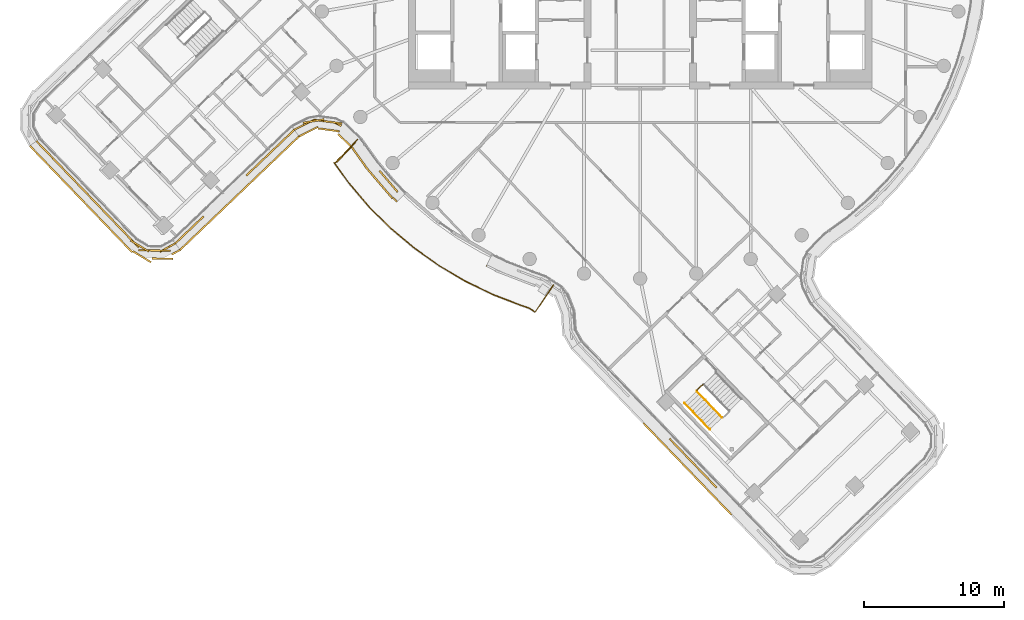
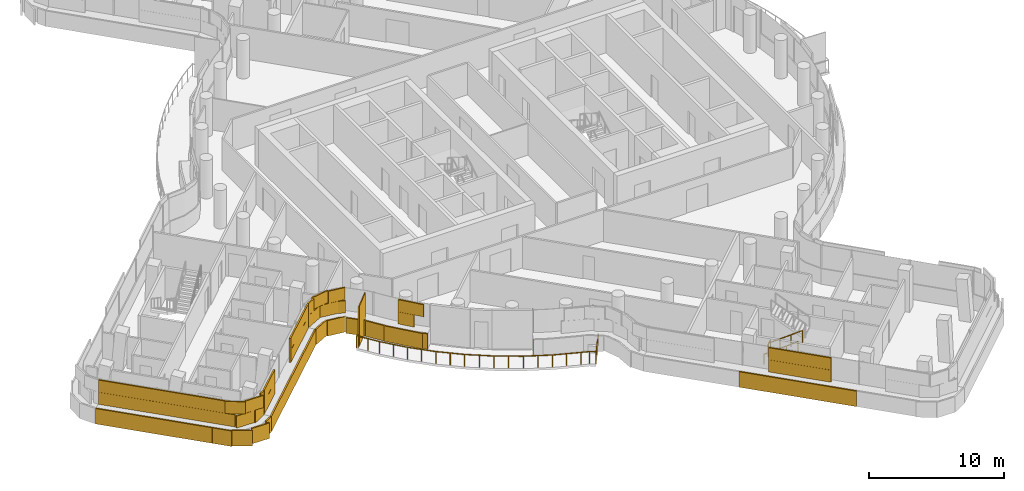
# One storey, part 27 of 34: 4 coverings, 4 railings, 1 shading device.
"""IFC4 building model written with IfcOpenShell, lengths in metres."""

from ifc_helpers import new_model, si_unit, direction, frame, origin, origin_2d, place, context, subcontext, project, spatial, rectangle, circle, extrude, material, layer, layer_set, type_object, element, save


model = new_model("IFC4")

# Units and contexts
model_context = context("Model", 3, precision=1e-05, world=origin(), true_north=direction((0.0, 1.0)))
body_context = subcontext(model_context, "Body", "Model", "MODEL_VIEW")
ifc_project = project(units=[si_unit("LENGTHUNIT", "METRE"), si_unit("AREAUNIT", "SQUARE_METRE"), si_unit("VOLUMEUNIT", "CUBIC_METRE"), si_unit("PLANEANGLEUNIT", "RADIAN"), si_unit("MASSUNIT", "GRAM", prefix="KILO")], contexts=[model_context])

# Site, building, storey
site_placement = place(None, origin())
site = spatial("IfcSite", under=ifc_project, at=site_placement, CompositionType="ELEMENT")
building_placement = place(site_placement, origin())
building = spatial("IfcBuilding", under=site, at=building_placement, Name="Tamarind Cross Interchange Tower", CompositionType="ELEMENT")
storey_placement = place(building_placement, frame((0.0, 0.0, 193.300048828125)))
storey = spatial("IfcBuildingStorey", under=building, at=storey_placement, Name="L48", CompositionType="ELEMENT", Elevation=193.300048828125)

# Railing
ifc_material_1 = material(Name="Stainless steel and laminated glass", Category="steel")
railing_type_1 = type_object("IfcRailingType", Name="Balcony guard", PredefinedType="BALUSTRADE", material=ifc_material_1)
railing_1_placement = place(storey_placement, frame((-20.123046875, -13.123291015625, 0.0)))
element("IfcRailing", 1, at=railing_1_placement, inside=storey, type_object=railing_type_1, Name="Balcony guard 02", PredefinedType="BALUSTRADE", context=body_context, shape_type="SweptSolid", body=[
    extrude(circle(Radius=0.02490234375, at=origin_2d()), frame((0.0, 0.0, 1.0751953125), z_axis=(-0.693079272456, -0.720861375087, 0.0), x_axis=(0.720861375087, -0.693079272456, 0.0)), (0.0, 0.0, 1.0), 2.320068359375),
    extrude(circle(Radius=0.02490234375, at=origin_2d()), frame((-1.60791015625, -1.67236328125, 1.0751953125), z_axis=(-0.721503585514, 0.692410699001, 0.0), x_axis=(-0.692410699001, -0.721503585514, 0.0)), (0.0, 0.0, 1.0), 0.083984375),
    extrude(circle(Radius=0.02490234375, at=origin_2d()), frame((-1.66845703125, -1.6142578125, 1.0751953125), z_axis=(0.584593701631, -0.811326200744, 0.0), x_axis=(0.811326200744, 0.584593701631, 0.0)), (0.0, 0.0, 1.0), 1.869384765625),
    extrude(circle(Radius=0.02490234375, at=origin_2d()), frame((-0.57568359375, -3.130859375, 1.0751953125), z_axis=(0.649598066146, -0.760277812684, 0.0), x_axis=(0.760277812684, 0.649598066146, 0.0)), (0.0, 0.0, 1.0), 2.175048828125),
    extrude(circle(Radius=0.02490234375, at=origin_2d()), frame((0.837158203125, -4.784423828125, 1.0751953125), z_axis=(0.710130717242, -0.704069857635, 0.0), x_axis=(0.704069857635, 0.710130717242, 0.0)), (0.0, 0.0, 1.0), 2.17529296875),
    extrude(circle(Radius=0.02490234375, at=origin_2d()), frame((2.3818359375, -6.31591796875, 1.0751953125), z_axis=(0.765879503455, -0.642984125922, 0.0), x_axis=(0.642984125922, 0.765879503455, 0.0)), (0.0, 0.0, 1.0), 2.17529296875),
    extrude(circle(Radius=0.02490234375, at=origin_2d()), frame((4.0478515625, -7.714599609375, 1.0751953125), z_axis=(0.81632657602, -0.577590617379, 0.0), x_axis=(0.577590617379, 0.81632657602, 0.0)), (0.0, 0.0, 1.0), 2.175048828125),
    extrude(circle(Radius=0.02490234375, at=origin_2d()), frame((5.823486328125, -8.970947265625, 1.0751953125), z_axis=(0.861223570169, -0.508226290333, 0.0), x_axis=(0.508226290333, 0.861223570169, 0.0)), (0.0, 0.0, 1.0), 2.175048828125),
    extrude(circle(Radius=0.02490234375, at=origin_2d()), frame((7.69677734375, -10.076416015625, 1.0751953125), z_axis=(0.90029690694, -0.435276325285, 0.0), x_axis=(0.435276325285, 0.90029690694, 0.0)), (0.0, 0.0, 1.0), 2.175048828125),
    extrude(circle(Radius=0.02490234375, at=origin_2d()), frame((9.655029296875, -11.023193359375, 1.0751953125), z_axis=(0.933127992893, -0.35954436288, 0.0), x_axis=(0.35954436288, 0.933127992893, 0.0)), (0.0, 0.0, 1.0), 2.112548828125),
    extrude(circle(Radius=0.02490234375, at=origin_2d()), frame((11.626220703125, -11.78271484375, 1.0751953125), z_axis=(0.943100391599, -0.332508122255, 0.0), x_axis=(0.332508122255, 0.943100391599, 0.0)), (0.0, 0.0, 1.0), 0.655029296875),
    extrude(circle(Radius=0.02490234375, at=origin_2d()), frame((12.243896484375, -12.00048828125, 1.0751953125), z_axis=(0.829141580357, -0.559038674622, 0.0), x_axis=(0.559038674622, 0.829141580357, 0.0)), (0.0, 0.0, 1.0), 0.49267578125),
    extrude(circle(Radius=0.02490234375, at=origin_2d()), frame((12.65234375, -12.27587890625, 1.0751953125), z_axis=(0.559208953059, 0.829026746745, 0.0), x_axis=(-0.829026746745, 0.559208953059, 0.0)), (0.0, 0.0, 1.0), 2.320068359375),
    extrude(circle(Radius=0.02001953125, at=origin_2d()), origin(), (0.0, 0.0, 1.0), 1.050048828125),
    extrude(circle(Radius=0.02001953125, at=origin_2d()), frame((-0.803955078125, -0.836181640625, 0.0)), (0.0, 0.0, 1.0), 1.050048828125),
    extrude(circle(Radius=0.02001953125, at=origin_2d()), frame((-1.60791015625, -1.67236328125, 0.0)), (0.0, 0.0, 1.0), 1.050048828125),
    extrude(circle(Radius=0.02001953125, at=origin_2d()), frame((-1.66845703125, -1.6142578125, 0.0)), (0.0, 0.0, 1.0), 1.050048828125),
    extrude(circle(Radius=0.02001953125, at=origin_2d()), frame((-1.1220703125, -2.37255859375, 0.0)), (0.0, 0.0, 1.0), 1.050048828125),
    extrude(circle(Radius=0.02001953125, at=origin_2d()), frame((-0.57568359375, -3.130859375, 0.0)), (0.0, 0.0, 1.0), 1.050048828125),
    extrude(circle(Radius=0.02001953125, at=origin_2d()), frame((0.130859375, -3.95751953125, 0.0)), (0.0, 0.0, 1.0), 1.050048828125),
    extrude(circle(Radius=0.02001953125, at=origin_2d()), frame((0.837158203125, -4.784423828125, 0.0)), (0.0, 0.0, 1.0), 1.050048828125),
    extrude(circle(Radius=0.02001953125, at=origin_2d()), frame((1.609375, -5.55029296875, 0.0)), (0.0, 0.0, 1.0), 1.050048828125),
    extrude(circle(Radius=0.02001953125, at=origin_2d()), frame((2.3818359375, -6.31591796875, 0.0)), (0.0, 0.0, 1.0), 1.050048828125),
    extrude(circle(Radius=0.02001953125, at=origin_2d()), frame((3.21484375, -7.01513671875, 0.0)), (0.0, 0.0, 1.0), 1.050048828125),
    extrude(circle(Radius=0.02001953125, at=origin_2d()), frame((4.0478515625, -7.714599609375, 0.0)), (0.0, 0.0, 1.0), 1.050048828125),
    extrude(circle(Radius=0.02001953125, at=origin_2d()), frame((4.935546875, -8.3427734375, 0.0)), (0.0, 0.0, 1.0), 1.050048828125),
    extrude(circle(Radius=0.02001953125, at=origin_2d()), frame((5.823486328125, -8.970947265625, 0.0)), (0.0, 0.0, 1.0), 1.050048828125),
    extrude(circle(Radius=0.02001953125, at=origin_2d()), frame((6.76025390625, -9.523681640625, 0.0)), (0.0, 0.0, 1.0), 1.050048828125),
    extrude(circle(Radius=0.02001953125, at=origin_2d()), frame((7.69677734375, -10.076416015625, 0.0)), (0.0, 0.0, 1.0), 1.050048828125),
    extrude(circle(Radius=0.02001953125, at=origin_2d()), frame((8.67578125, -10.5498046875, 0.0)), (0.0, 0.0, 1.0), 1.050048828125),
    extrude(circle(Radius=0.02001953125, at=origin_2d()), frame((9.655029296875, -11.023193359375, 0.0)), (0.0, 0.0, 1.0), 1.050048828125),
    extrude(circle(Radius=0.02001953125, at=origin_2d()), frame((10.640625, -11.40283203125, 0.0)), (0.0, 0.0, 1.0), 1.050048828125),
    extrude(circle(Radius=0.02001953125, at=origin_2d()), frame((11.626220703125, -11.78271484375, 0.0)), (0.0, 0.0, 1.0), 1.050048828125),
    extrude(circle(Radius=0.02001953125, at=origin_2d()), frame((12.243896484375, -12.00048828125, 0.0)), (0.0, 0.0, 1.0), 1.050048828125),
    extrude(circle(Radius=0.02001953125, at=origin_2d()), frame((12.65234375, -12.27587890625, 0.0)), (0.0, 0.0, 1.0), 1.050048828125),
    extrude(circle(Radius=0.02001953125, at=origin_2d()), frame((13.301025390625, -11.314208984375, 0.0)), (0.0, 0.0, 1.0), 1.050048828125),
    extrude(circle(Radius=0.02001953125, at=origin_2d()), frame((13.94970703125, -10.3525390625, 0.0)), (0.0, 0.0, 1.0), 1.050048828125),
])

# Shading device
ifc_material_2 = material(Name="Bronze-finish aluminium louvre", Category="aluminium")
ifc_layer_1 = layer(ifc_material_2, 0.080078125)
ifc_layer_set_1 = layer_set([ifc_layer_1], Name="Bronze-finish aluminium louvre")
shading_device_type = type_object("IfcShadingDeviceType", Name="Operable louvre bay", PredefinedType="JALOUSIE", material=ifc_layer_set_1)
shading_device_placement = place(storey_placement, origin())
element("IfcShadingDevice", 2, at=shading_device_placement, inside=storey, type_object=shading_device_type, Name="LVR-L48-BAL02", PredefinedType="JALOUSIE", context=body_context, shape_type="SweptSolid", body=[
    extrude(rectangle(XDim=1.89990234375, YDim=0.080078125, at=origin_2d()), frame((-20.928466796875, -14.006591796875, 0.0), z_axis=(0.0, 0.0, 1.0), x_axis=(-0.693084454304, -0.720856392912, 0.0)), (0.0, 0.0, 1.0), 3.60009765625),
])

# Railings
ifc_material_3 = material(Name="Stair guard")
railing_type_2 = type_object("IfcRailingType", Name="Stair guard", PredefinedType="GUARDRAIL", material=ifc_material_3)
railing_2_placement = place(storey_placement, frame((4.031982421875, -31.025390625, 0.16357421875)))
element("IfcRailing", 3, at=railing_2_placement, inside=storey, type_object=railing_type_2, Name="L48 ST6 stair guard 1", PredefinedType="GUARDRAIL", context=body_context, shape_type="SweptSolid", body=[
    extrude(circle(Radius=0.02392578125, at=origin_2d()), frame((0.0, 0.0, 1.076171875), z_axis=(0.586640057014, -0.610003938993, 0.532680615303), x_axis=(0.720775322287, 0.693168763565, 0.0)), (0.0, 0.0, 1.0), 3.072265625),
    extrude(circle(Radius=0.02099609375, at=origin_2d()), origin(), (0.0, 0.0, 1.0), 1.052001953125),
    extrude(circle(Radius=0.02099609375, at=origin_2d()), frame((0.600830078125, -0.624755859375, 0.54541015625)), (0.0, 0.0, 1.0), 1.052001953125),
    extrude(circle(Radius=0.02099609375, at=origin_2d()), frame((1.201416015625, -1.249267578125, 1.091064453125)), (0.0, 0.0, 1.0), 1.052001953125),
    extrude(circle(Radius=0.02099609375, at=origin_2d()), frame((1.80224609375, -1.8740234375, 1.636474609375)), (0.0, 0.0, 1.0), 1.052001953125),
])
railing_3_placement = place(storey_placement, frame((4.033203125, -30.95458984375, 0.0)))
element("IfcRailing", 4, at=railing_3_placement, inside=storey, type_object=railing_type_2, Name="L48 ST6 stair guard 4", PredefinedType="GUARDRAIL", context=body_context, shape_type="SweptSolid", body=[
    extrude(circle(Radius=0.02392578125, at=origin_2d()), frame((0.0, 0.0, 1.076171875), z_axis=(0.721005055194, 0.692929801917, 0.0), x_axis=(-0.692929801917, 0.721005055194, 0.0)), (0.0, 0.0, 1.0), 0.60009765625),
    extrude(circle(Radius=0.02099609375, at=origin_2d()), origin(), (0.0, 0.0, 1.0), 1.052001953125),
    extrude(circle(Radius=0.02099609375, at=origin_2d()), frame((0.4326171875, 0.415771484375, 0.0)), (0.0, 0.0, 1.0), 1.052001953125),
])
ifc_material_4 = material(Name="Stair handrail")
railing_type_3 = type_object("IfcRailingType", Name="Stair handrail", PredefinedType="HANDRAIL", material=ifc_material_4)
railing_4_placement = place(storey_placement, frame((3.1669921875, -31.857177734375, 0.16357421875)))
element("IfcRailing", 5, at=railing_4_placement, inside=storey, type_object=railing_type_3, Name="L48 ST6 stair handrail 1", PredefinedType="HANDRAIL", context=body_context, shape_type="SweptSolid", body=[
    extrude(circle(Radius=0.02392578125, at=origin_2d()), frame((0.0, 0.0, 0.8759765625), z_axis=(0.586640057014, -0.610003938993, 0.532680615303), x_axis=(0.720775322287, 0.693168763565, 0.0)), (0.0, 0.0, 1.0), 3.072265625),
    extrude(circle(Radius=0.02099609375, at=origin_2d()), origin(), (0.0, 0.0, 1.0), 0.851806640625),
    extrude(circle(Radius=0.02099609375, at=origin_2d()), frame((0.600830078125, -0.624755859375, 0.54541015625)), (0.0, 0.0, 1.0), 0.851806640625),
    extrude(circle(Radius=0.02099609375, at=origin_2d()), frame((1.201416015625, -1.249267578125, 1.091064453125)), (0.0, 0.0, 1.0), 0.851806640625),
    extrude(circle(Radius=0.02099609375, at=origin_2d()), frame((1.80224609375, -1.8740234375, 1.636474609375)), (0.0, 0.0, 1.0), 0.851806640625),
])

# Coverings
ifc_material_5 = material(Name="Terracotta", Category="masonry")
ifc_layer_2 = layer(ifc_material_5, 0.1201171875)
ifc_layer_set_2 = layer_set([ifc_layer_2], Name="Terracotta")
covering_type = type_object("IfcCoveringType", Name="Terracotta baguette screen unit", PredefinedType="MOLDING", material=ifc_layer_set_2)
covering_1_placement = place(storey_placement, origin())
element("IfcCovering", 6, at=covering_1_placement, inside=storey, type_object=covering_type, Name="SCR-L48-00-00", PredefinedType="MOLDING", context=body_context, shape_type="SweptSolid", body=[
    extrude(rectangle(XDim=1.510009765625, YDim=0.1201171875, at=origin_2d()), frame((-42.454345703125, -13.758056640625, 1.40380859375), z_axis=(0.0, 0.0, 1.0), x_axis=(0.69317039432, -0.720773753988, 0.0)), (0.0, 0.0, 1.0), 1.092041015625),
    extrude(rectangle(XDim=1.52001953125, YDim=0.1201171875, at=origin_2d()), frame((-41.41455078125, -14.83935546875, 1.40380859375), z_axis=(0.0, 0.0, 1.0), x_axis=(0.69317039432, -0.720773753988, 0.0)), (0.0, 0.0, 1.0), 1.092041015625),
    extrude(rectangle(XDim=1.52001953125, YDim=0.1201171875, at=origin_2d()), frame((-40.374755859375, -15.92041015625, 1.40380859375), z_axis=(0.0, 0.0, 1.0), x_axis=(0.69317039432, -0.720773753988, 0.0)), (0.0, 0.0, 1.0), 1.092041015625),
    extrude(rectangle(XDim=1.52001953125, YDim=0.1201171875, at=origin_2d()), frame((-39.3349609375, -17.00146484375, 1.40380859375), z_axis=(0.0, 0.0, 1.0), x_axis=(0.69317039432, -0.720773753988, 0.0)), (0.0, 0.0, 1.0), 1.092041015625),
    extrude(rectangle(XDim=1.52001953125, YDim=0.1201171875, at=origin_2d()), frame((-38.29541015625, -18.082763671875, 1.40380859375), z_axis=(0.0, 0.0, 1.0), x_axis=(0.69317039432, -0.720773753988, 0.0)), (0.0, 0.0, 1.0), 1.092041015625),
    extrude(rectangle(XDim=1.52001953125, YDim=0.1201171875, at=origin_2d()), frame((-37.255615234375, -19.163818359375, 1.40380859375), z_axis=(0.0, 0.0, 1.0), x_axis=(0.69317039432, -0.720773753988, 0.0)), (0.0, 0.0, 1.0), 1.092041015625),
    extrude(rectangle(XDim=1.52001953125, YDim=0.1201171875, at=origin_2d()), frame((-36.2158203125, -20.2451171875, 1.40380859375), z_axis=(0.0, 0.0, 1.0), x_axis=(0.69317039432, -0.720773753988, 0.0)), (0.0, 0.0, 1.0), 1.092041015625),
    extrude(rectangle(XDim=1.52001953125, YDim=0.1201171875, at=origin_2d()), frame((-34.953857421875, -20.9990234375, 1.40380859375), z_axis=(0.0, 0.0, 1.0), x_axis=(0.999809495488, -0.019518522804, 0.0)), (0.0, 0.0, 1.0), 1.092041015625),
    extrude(rectangle(XDim=1.259521484375, YDim=0.1201171875, at=origin_2d()), frame((-33.634765625, -20.801513671875, 1.40380859375), z_axis=(0.0, 0.0, 1.0), x_axis=(0.875619683439, 0.483001211151, 0.0)), (0.0, 0.0, 1.0), 1.092041015625),
    extrude(rectangle(XDim=0.760009765625, YDim=0.1201171875, at=origin_2d()), frame((-42.71435546875, -13.48779296875, 2.50390625), z_axis=(0.0, 0.0, 1.0), x_axis=(0.69317039432, -0.720773753988, 0.0)), (0.0, 0.0, 1.0), 1.092041015625),
    extrude(rectangle(XDim=1.52001953125, YDim=0.1201171875, at=origin_2d()), frame((-41.934326171875, -14.298583984375, 2.50390625), z_axis=(0.0, 0.0, 1.0), x_axis=(0.69317039432, -0.720773753988, 0.0)), (0.0, 0.0, 1.0), 1.092041015625),
    extrude(rectangle(XDim=1.52001953125, YDim=0.1201171875, at=origin_2d()), frame((-40.894775390625, -15.3798828125, 2.50390625), z_axis=(0.0, 0.0, 1.0), x_axis=(0.69317039432, -0.720773753988, 0.0)), (0.0, 0.0, 1.0), 1.092041015625),
    extrude(rectangle(XDim=1.52001953125, YDim=0.1201171875, at=origin_2d()), frame((-39.85498046875, -16.4609375, 2.50390625), z_axis=(0.0, 0.0, 1.0), x_axis=(0.69317039432, -0.720773753988, 0.0)), (0.0, 0.0, 1.0), 1.092041015625),
    extrude(rectangle(XDim=1.52001953125, YDim=0.1201171875, at=origin_2d()), frame((-38.815185546875, -17.542236328125, 2.50390625), z_axis=(0.0, 0.0, 1.0), x_axis=(0.69317039432, -0.720773753988, 0.0)), (0.0, 0.0, 1.0), 1.092041015625),
    extrude(rectangle(XDim=1.52001953125, YDim=0.1201171875, at=origin_2d()), frame((-37.775390625, -18.623291015625, 2.50390625), z_axis=(0.0, 0.0, 1.0), x_axis=(0.69317039432, -0.720773753988, 0.0)), (0.0, 0.0, 1.0), 1.092041015625),
    extrude(rectangle(XDim=1.52001953125, YDim=0.1201171875, at=origin_2d()), frame((-36.735595703125, -19.70458984375, 2.50390625), z_axis=(0.0, 0.0, 1.0), x_axis=(0.69317039432, -0.720773753988, 0.0)), (0.0, 0.0, 1.0), 1.092041015625),
    extrude(rectangle(XDim=1.52001953125, YDim=0.1201171875, at=origin_2d()), frame((-35.618408203125, -20.6884765625, 2.50390625), z_axis=(0.0, 0.0, 1.0), x_axis=(0.856101160635, -0.516808284337, 0.0)), (0.0, 0.0, 1.0), 1.092041015625),
    extrude(rectangle(XDim=1.52001953125, YDim=0.1201171875, at=origin_2d()), frame((-34.2041015625, -21.013671875, 2.50390625), z_axis=(0.0, 0.0, 1.0), x_axis=(0.999809495488, -0.019518522804, 0.0)), (0.0, 0.0, 1.0), 1.092041015625),
    extrude(rectangle(XDim=0.509521484375, YDim=0.1201171875, at=origin_2d()), frame((-33.306396484375, -20.620361328125, 2.50390625), z_axis=(0.0, 0.0, 1.0), x_axis=(0.875619683439, 0.483001211151, 0.0)), (0.0, 0.0, 1.0), 1.092041015625),
    extrude(rectangle(XDim=1.510009765625, YDim=0.1201171875, at=origin_2d()), frame((-42.9169921875, -14.105224609375, 0.00390625), z_axis=(0.0, 0.0, 1.0), x_axis=(0.69317039432, -0.720773753988, 0.0)), (0.0, 0.0, 1.0), 1.39208984375),
    extrude(rectangle(XDim=1.52001953125, YDim=0.1201171875, at=origin_2d()), frame((-41.880615234375, -15.1826171875, 0.00390625), z_axis=(0.0, 0.0, 1.0), x_axis=(0.69317039432, -0.720773753988, 0.0)), (0.0, 0.0, 1.0), 1.39208984375),
    extrude(rectangle(XDim=1.52001953125, YDim=0.1201171875, at=origin_2d()), frame((-40.8408203125, -16.263916015625, 0.00390625), z_axis=(0.0, 0.0, 1.0), x_axis=(0.69317039432, -0.720773753988, 0.0)), (0.0, 0.0, 1.0), 1.39208984375),
    extrude(rectangle(XDim=1.52001953125, YDim=0.1201171875, at=origin_2d()), frame((-39.80126953125, -17.344970703125, 0.00390625), z_axis=(0.0, 0.0, 1.0), x_axis=(0.69317039432, -0.720773753988, 0.0)), (0.0, 0.0, 1.0), 1.39208984375),
    extrude(rectangle(XDim=1.52001953125, YDim=0.1201171875, at=origin_2d()), frame((-38.761474609375, -18.42626953125, 0.00390625), z_axis=(0.0, 0.0, 1.0), x_axis=(0.69317039432, -0.720773753988, 0.0)), (0.0, 0.0, 1.0), 1.39208984375),
    extrude(rectangle(XDim=1.52001953125, YDim=0.1201171875, at=origin_2d()), frame((-37.7216796875, -19.50732421875, 0.00390625), z_axis=(0.0, 0.0, 1.0), x_axis=(0.69317039432, -0.720773753988, 0.0)), (0.0, 0.0, 1.0), 1.39208984375),
    extrude(rectangle(XDim=1.52001953125, YDim=0.1201171875, at=origin_2d()), frame((-36.681884765625, -20.58837890625, 0.00390625), z_axis=(0.0, 0.0, 1.0), x_axis=(0.69317039432, -0.720773753988, 0.0)), (0.0, 0.0, 1.0), 1.39208984375),
    extrude(rectangle(XDim=1.52001953125, YDim=0.1201171875, at=origin_2d()), frame((-35.467041015625, -21.450439453125, 0.00390625), z_axis=(0.0, 0.0, 1.0), x_axis=(0.856101160635, -0.516808284337, 0.0)), (0.0, 0.0, 1.0), 1.39208984375),
    extrude(rectangle(XDim=1.52001953125, YDim=0.1201171875, at=origin_2d()), frame((-33.999755859375, -21.591796875, 0.00390625), z_axis=(0.0, 0.0, 1.0), x_axis=(0.999809495488, -0.019518522804, 0.0)), (0.0, 0.0, 1.0), 1.39208984375),
    extrude(rectangle(XDim=0.67578125, YDim=0.1201171875, at=origin_2d()), frame((-33.041259765625, -21.129638671875, 0.00390625), z_axis=(0.0, 0.0, 1.0), x_axis=(0.875619683439, 0.483001211151, 0.0)), (0.0, 0.0, 1.0), 1.39208984375),
])
covering_2_placement = place(storey_placement, origin())
element("IfcCovering", 7, at=covering_2_placement, inside=storey, type_object=covering_type, Name="SCR-L48-01-00", PredefinedType="MOLDING", context=body_context, shape_type="SweptSolid", body=[
    extrude(rectangle(XDim=1.510009765625, YDim=0.1201171875, at=origin_2d()), frame((-32.545166015625, -19.98193359375, 1.40380859375), z_axis=(0.0, 0.0, 1.0), x_axis=(0.723395096395, 0.690434308615, 0.0)), (0.0, 0.0, 1.0), 1.092041015625),
    extrude(rectangle(XDim=1.298828125, YDim=0.1201171875, at=origin_2d()), frame((-31.53662109375, -19.019287109375, 1.40380859375), z_axis=(0.0, 0.0, 1.0), x_axis=(0.723395096395, 0.690434308615, 0.0)), (0.0, 0.0, 1.0), 1.092041015625),
    extrude(rectangle(XDim=0.521240234375, YDim=0.1201171875, at=origin_2d()), frame((-27.84716796875, -15.498046875, 1.40380859375), z_axis=(0.0, 0.0, 1.0), x_axis=(0.723395096395, 0.690434308615, 0.0)), (0.0, 0.0, 1.0), 1.092041015625),
    extrude(rectangle(XDim=1.52001953125, YDim=0.1201171875, at=origin_2d()), frame((-27.119873046875, -14.8037109375, 1.40380859375), z_axis=(0.0, 0.0, 1.0), x_axis=(0.723395096395, 0.690434308615, 0.0)), (0.0, 0.0, 1.0), 1.092041015625),
    extrude(rectangle(XDim=1.52001953125, YDim=0.1201171875, at=origin_2d()), frame((-26.03466796875, -13.76806640625, 1.40380859375), z_axis=(0.0, 0.0, 1.0), x_axis=(0.723395096395, 0.690434308615, 0.0)), (0.0, 0.0, 1.0), 1.092041015625),
    extrude(rectangle(XDim=1.219970703125, YDim=0.1201171875, at=origin_2d()), frame((-25.054443359375, -12.83251953125, 1.40380859375), z_axis=(0.0, 0.0, 1.0), x_axis=(0.723395096395, 0.690434308615, 0.0)), (0.0, 0.0, 1.0), 1.092041015625),
    extrude(rectangle(XDim=0.760009765625, YDim=0.1201171875, at=origin_2d()), frame((-32.816650390625, -20.240966796875, 2.50390625), z_axis=(0.0, 0.0, 1.0), x_axis=(0.723395096395, 0.690434308615, 0.0)), (0.0, 0.0, 1.0), 1.092041015625),
    extrude(rectangle(XDim=1.52001953125, YDim=0.1201171875, at=origin_2d()), frame((-32.002685546875, -19.464111328125, 2.50390625), z_axis=(0.0, 0.0, 1.0), x_axis=(0.723395096395, 0.690434308615, 0.0)), (0.0, 0.0, 1.0), 1.092041015625),
    extrude(rectangle(XDim=0.548828125, YDim=0.1201171875, at=origin_2d()), frame((-31.265380859375, -18.76025390625, 2.50390625), z_axis=(0.0, 0.0, 1.0), x_axis=(0.723395096395, 0.690434308615, 0.0)), (0.0, 0.0, 1.0), 1.092041015625),
    extrude(rectangle(XDim=1.271240234375, YDim=0.1201171875, at=origin_2d()), frame((-27.575927734375, -15.239013671875, 2.50390625), z_axis=(0.0, 0.0, 1.0), x_axis=(0.723395096395, 0.690434308615, 0.0)), (0.0, 0.0, 1.0), 1.092041015625),
    extrude(rectangle(XDim=1.52001953125, YDim=0.1201171875, at=origin_2d()), frame((-26.5771484375, -14.285888671875, 2.50390625), z_axis=(0.0, 0.0, 1.0), x_axis=(0.723395096395, 0.690434308615, 0.0)), (0.0, 0.0, 1.0), 1.092041015625),
    extrude(rectangle(XDim=1.52001953125, YDim=0.1201171875, at=origin_2d()), frame((-25.4921875, -13.250244140625, 2.50390625), z_axis=(0.0, 0.0, 1.0), x_axis=(0.723395096395, 0.690434308615, 0.0)), (0.0, 0.0, 1.0), 1.092041015625),
    extrude(rectangle(XDim=0.469970703125, YDim=0.1201171875, at=origin_2d()), frame((-24.783203125, -12.57373046875, 2.50390625), z_axis=(0.0, 0.0, 1.0), x_axis=(0.723395096395, 0.690434308615, 0.0)), (0.0, 0.0, 1.0), 1.092041015625),
    extrude(rectangle(XDim=1.510009765625, YDim=0.1201171875, at=origin_2d()), frame((-32.19921875, -20.445068359375, 0.00390625), z_axis=(0.0, 0.0, 1.0), x_axis=(0.723395096395, 0.690434308615, 0.0)), (0.0, 0.0, 1.0), 1.39208984375),
    extrude(rectangle(XDim=1.52001953125, YDim=0.1201171875, at=origin_2d()), frame((-31.11767578125, -19.412841796875, 0.00390625), z_axis=(0.0, 0.0, 1.0), x_axis=(0.723395096395, 0.690434308615, 0.0)), (0.0, 0.0, 1.0), 1.39208984375),
    extrude(rectangle(XDim=1.52001953125, YDim=0.1201171875, at=origin_2d()), frame((-30.03271484375, -18.377197265625, 0.00390625), z_axis=(0.0, 0.0, 1.0), x_axis=(0.723395096395, 0.690434308615, 0.0)), (0.0, 0.0, 1.0), 1.39208984375),
    extrude(rectangle(XDim=1.52001953125, YDim=0.1201171875, at=origin_2d()), frame((-28.947509765625, -17.341552734375, 0.00390625), z_axis=(0.0, 0.0, 1.0), x_axis=(0.723395096395, 0.690434308615, 0.0)), (0.0, 0.0, 1.0), 1.39208984375),
    extrude(rectangle(XDim=1.52001953125, YDim=0.1201171875, at=origin_2d()), frame((-27.862548828125, -16.305908203125, 0.00390625), z_axis=(0.0, 0.0, 1.0), x_axis=(0.723395096395, 0.690434308615, 0.0)), (0.0, 0.0, 1.0), 1.39208984375),
    extrude(rectangle(XDim=1.52001953125, YDim=0.1201171875, at=origin_2d()), frame((-26.77734375, -15.270263671875, 0.00390625), z_axis=(0.0, 0.0, 1.0), x_axis=(0.723395096395, 0.690434308615, 0.0)), (0.0, 0.0, 1.0), 1.39208984375),
    extrude(rectangle(XDim=1.52001953125, YDim=0.1201171875, at=origin_2d()), frame((-25.6923828125, -14.234619140625, 0.00390625), z_axis=(0.0, 0.0, 1.0), x_axis=(0.723395096395, 0.690434308615, 0.0)), (0.0, 0.0, 1.0), 1.39208984375),
    extrude(rectangle(XDim=1.208740234375, YDim=0.1201171875, at=origin_2d()), frame((-24.7197265625, -13.306396484375, 0.00390625), z_axis=(0.0, 0.0, 1.0), x_axis=(0.723395096395, 0.690434308615, 0.0)), (0.0, 0.0, 1.0), 1.39208984375),
])
covering_3_placement = place(storey_placement, origin())
element("IfcCovering", 8, at=covering_3_placement, inside=storey, type_object=covering_type, Name="SCR-L48-02-00", PredefinedType="MOLDING", context=body_context, shape_type="SweptSolid", body=[
    extrude(rectangle(XDim=1.510009765625, YDim=0.1201171875, at=origin_2d()), frame((-23.94677734375, -12.077880859375, 1.40380859375), z_axis=(0.0, 0.0, 1.0), x_axis=(0.893374690242, 0.449312433431, 0.0)), (0.0, 0.0, 1.0), 1.092041015625),
    extrude(rectangle(XDim=1.52001953125, YDim=0.1201171875, at=origin_2d()), frame((-22.51611328125, -11.797119140625, 1.40380859375), z_axis=(0.0, 0.0, 1.0), x_axis=(0.991066112006, -0.133371517322, 0.0)), (0.0, 0.0, 1.0), 1.092041015625),
    extrude(rectangle(XDim=0.56640625, YDim=0.1201171875, at=origin_2d()), frame((-21.521484375, -12.0185546875, 1.40380859375), z_axis=(0.0, 0.0, 1.0), x_axis=(0.907436877279, -0.420188426488, 0.0)), (0.0, 0.0, 1.0), 1.092041015625),
    extrude(rectangle(XDim=1.253662109375, YDim=0.1201171875, at=origin_2d()), frame((-18.154052734375, -15.799560546875, 1.40380859375), z_axis=(0.0, 0.0, 1.0), x_axis=(0.64957723968, -0.760295606781, 0.0)), (0.0, 0.0, 1.0), 1.092041015625),
    extrude(rectangle(XDim=0.760009765625, YDim=0.1201171875, at=origin_2d()), frame((-24.281982421875, -12.246337890625, 2.50390625), z_axis=(0.0, 0.0, 1.0), x_axis=(0.893374690242, 0.449312433431, 0.0)), (0.0, 0.0, 1.0), 1.092041015625),
    extrude(rectangle(XDim=1.52001953125, YDim=0.1201171875, at=origin_2d()), frame((-23.257568359375, -11.799560546875, 2.50390625), z_axis=(0.0, 0.0, 1.0), x_axis=(0.986234977532, 0.165349838501, 0.0)), (0.0, 0.0, 1.0), 1.092041015625),
    extrude(rectangle(XDim=1.31640625, YDim=0.1201171875, at=origin_2d()), frame((-21.86865234375, -11.88427734375, 2.50390625), z_axis=(0.0, 0.0, 1.0), x_axis=(0.991066112006, -0.133371517322, 0.0)), (0.0, 0.0, 1.0), 1.092041015625),
    extrude(rectangle(XDim=0.503662109375, YDim=0.1201171875, at=origin_2d()), frame((-18.397705078125, -15.514404296875, 2.50390625), z_axis=(0.0, 0.0, 1.0), x_axis=(0.64957723968, -0.760295606781, 0.0)), (0.0, 0.0, 1.0), 1.092041015625),
    extrude(rectangle(XDim=1.52001953125, YDim=0.1201171875, at=origin_2d()), frame((-17.75, -16.272216796875, 2.50390625), z_axis=(0.0, 0.0, 1.0), x_axis=(0.64957723968, -0.760295606781, 0.0)), (0.0, 0.0, 1.0), 1.092041015625),
    extrude(rectangle(XDim=1.510009765625, YDim=0.1201171875, at=origin_2d()), frame((-23.608154296875, -12.550048828125, 0.00390625), z_axis=(0.0, 0.0, 1.0), x_axis=(0.893374690242, 0.449312433431, 0.0)), (0.0, 0.0, 1.0), 1.39208984375),
    extrude(rectangle(XDim=1.52001953125, YDim=0.1201171875, at=origin_2d()), frame((-22.1640625, -12.423828125, 0.00390625), z_axis=(0.0, 0.0, 1.0), x_axis=(0.991066112006, -0.133371517322, 0.0)), (0.0, 0.0, 1.0), 1.39208984375),
    extrude(rectangle(XDim=1.52001953125, YDim=0.1201171875, at=origin_2d()), frame((-20.956298828125, -13.2431640625, 0.00390625), z_axis=(0.0, 0.0, 1.0), x_axis=(0.720856392912, -0.693084454304, 0.0)), (0.0, 0.0, 1.0), 1.39208984375),
    extrude(rectangle(XDim=1.52001953125, YDim=0.1201171875, at=origin_2d()), frame((-20.0, -14.39111328125, 0.00390625), z_axis=(0.0, 0.0, 1.0), x_axis=(0.584573890505, -0.811340475102, 0.0)), (0.0, 0.0, 1.0), 1.39208984375),
    extrude(rectangle(XDim=1.52001953125, YDim=0.1201171875, at=origin_2d()), frame((-19.0927734375, -15.58447265625, 0.00390625), z_axis=(0.0, 0.0, 1.0), x_axis=(0.64957723968, -0.760295606781, 0.0)), (0.0, 0.0, 1.0), 1.39208984375),
    extrude(rectangle(XDim=1.52001953125, YDim=0.1201171875, at=origin_2d()), frame((-18.118408203125, -16.724853515625, 0.00390625), z_axis=(0.0, 0.0, 1.0), x_axis=(0.64957723968, -0.760295606781, 0.0)), (0.0, 0.0, 1.0), 1.39208984375),
    extrude(rectangle(XDim=0.403076171875, YDim=0.1201171875, at=origin_2d()), frame((-17.4541015625, -17.391845703125, 0.00390625), z_axis=(0.0, 0.0, 1.0), x_axis=(0.710143317658, -0.704057148523, 0.0)), (0.0, 0.0, 1.0), 1.39208984375),
    extrude(rectangle(XDim=0.03076171875, YDim=0.1201171875, at=origin_2d()), frame((-10.924560546875, -22.08642578125, 0.00390625), z_axis=(0.0, 0.0, 1.0), x_axis=(0.900272776334, -0.435326231914, 0.0)), (0.0, 0.0, 1.0), 1.39208984375),
])
covering_4_placement = place(storey_placement, origin())
element("IfcCovering", 9, at=covering_4_placement, inside=storey, type_object=covering_type, Name="SCR-L48-03-01", PredefinedType="MOLDING", context=body_context, shape_type="SweptSolid", body=[
    extrude(rectangle(XDim=1.121826171875, YDim=0.1201171875, at=origin_2d()), frame((2.481689453125, -34.808837890625, 1.40380859375), z_axis=(0.0, 0.0, 1.0), x_axis=(0.69317039432, -0.720773753988, 0.0)), (0.0, 0.0, 1.0), 1.092041015625),
    extrude(rectangle(XDim=1.52001953125, YDim=0.1201171875, at=origin_2d()), frame((3.386962890625, -35.75, 1.40380859375), z_axis=(0.0, 0.0, 1.0), x_axis=(0.69317039432, -0.720773753988, 0.0)), (0.0, 0.0, 1.0), 1.092041015625),
    extrude(rectangle(XDim=1.52001953125, YDim=0.1201171875, at=origin_2d()), frame((4.426513671875, -36.831298828125, 1.40380859375), z_axis=(0.0, 0.0, 1.0), x_axis=(0.69317039432, -0.720773753988, 0.0)), (0.0, 0.0, 1.0), 1.092041015625),
    extrude(rectangle(XDim=0.7080078125, YDim=0.1201171875, at=origin_2d()), frame((5.1884765625, -37.62353515625, 1.40380859375), z_axis=(0.0, 0.0, 1.0), x_axis=(0.69317039432, -0.720773753988, 0.0)), (0.0, 0.0, 1.0), 1.092041015625),
    extrude(rectangle(XDim=0.371826171875, YDim=0.1201171875, at=origin_2d()), frame((2.2216796875, -34.53857421875, 2.50390625), z_axis=(0.0, 0.0, 1.0), x_axis=(0.69317039432, -0.720773753988, 0.0)), (0.0, 0.0, 1.0), 1.092041015625),
    extrude(rectangle(XDim=1.52001953125, YDim=0.1201171875, at=origin_2d()), frame((2.866943359375, -35.20947265625, 2.50390625), z_axis=(0.0, 0.0, 1.0), x_axis=(0.69317039432, -0.720773753988, 0.0)), (0.0, 0.0, 1.0), 1.092041015625),
    extrude(rectangle(XDim=1.52001953125, YDim=0.1201171875, at=origin_2d()), frame((3.90673828125, -36.290771484375, 2.50390625), z_axis=(0.0, 0.0, 1.0), x_axis=(0.69317039432, -0.720773753988, 0.0)), (0.0, 0.0, 1.0), 1.092041015625),
    extrude(rectangle(XDim=1.4580078125, YDim=0.1201171875, at=origin_2d()), frame((4.928466796875, -37.35302734375, 2.50390625), z_axis=(0.0, 0.0, 1.0), x_axis=(0.69317039432, -0.720773753988, 0.0)), (0.0, 0.0, 1.0), 1.092041015625),
    extrude(rectangle(XDim=0.1708984375, YDim=0.1201171875, at=origin_2d()), frame((0.271240234375, -33.33837890625, 0.00390625), z_axis=(0.0, 0.0, 1.0), x_axis=(0.69317039432, -0.720773753988, 0.0)), (0.0, 0.0, 1.0), 1.39208984375),
    extrude(rectangle(XDim=1.52001953125, YDim=0.1201171875, at=origin_2d()), frame((0.843505859375, -33.933349609375, 0.00390625), z_axis=(0.0, 0.0, 1.0), x_axis=(0.69317039432, -0.720773753988, 0.0)), (0.0, 0.0, 1.0), 1.39208984375),
    extrude(rectangle(XDim=1.52001953125, YDim=0.1201171875, at=origin_2d()), frame((1.883056640625, -35.0146484375, 0.00390625), z_axis=(0.0, 0.0, 1.0), x_axis=(0.69317039432, -0.720773753988, 0.0)), (0.0, 0.0, 1.0), 1.39208984375),
    extrude(rectangle(XDim=1.52001953125, YDim=0.1201171875, at=origin_2d()), frame((2.9228515625, -36.095703125, 0.00390625), z_axis=(0.0, 0.0, 1.0), x_axis=(0.69317039432, -0.720773753988, 0.0)), (0.0, 0.0, 1.0), 1.39208984375),
    extrude(rectangle(XDim=1.52001953125, YDim=0.1201171875, at=origin_2d()), frame((3.962646484375, -37.177001953125, 0.00390625), z_axis=(0.0, 0.0, 1.0), x_axis=(0.69317039432, -0.720773753988, 0.0)), (0.0, 0.0, 1.0), 1.39208984375),
    extrude(rectangle(XDim=1.52001953125, YDim=0.1201171875, at=origin_2d()), frame((5.00244140625, -38.258056640625, 0.00390625), z_axis=(0.0, 0.0, 1.0), x_axis=(0.69317039432, -0.720773753988, 0.0)), (0.0, 0.0, 1.0), 1.39208984375),
    extrude(rectangle(XDim=1.421875, YDim=0.1201171875, at=origin_2d()), frame((6.008056640625, -39.303955078125, 0.00390625), z_axis=(0.0, 0.0, 1.0), x_axis=(0.69317039432, -0.720773753988, 0.0)), (0.0, 0.0, 1.0), 1.39208984375),
])

save(model, "model.ifc")
